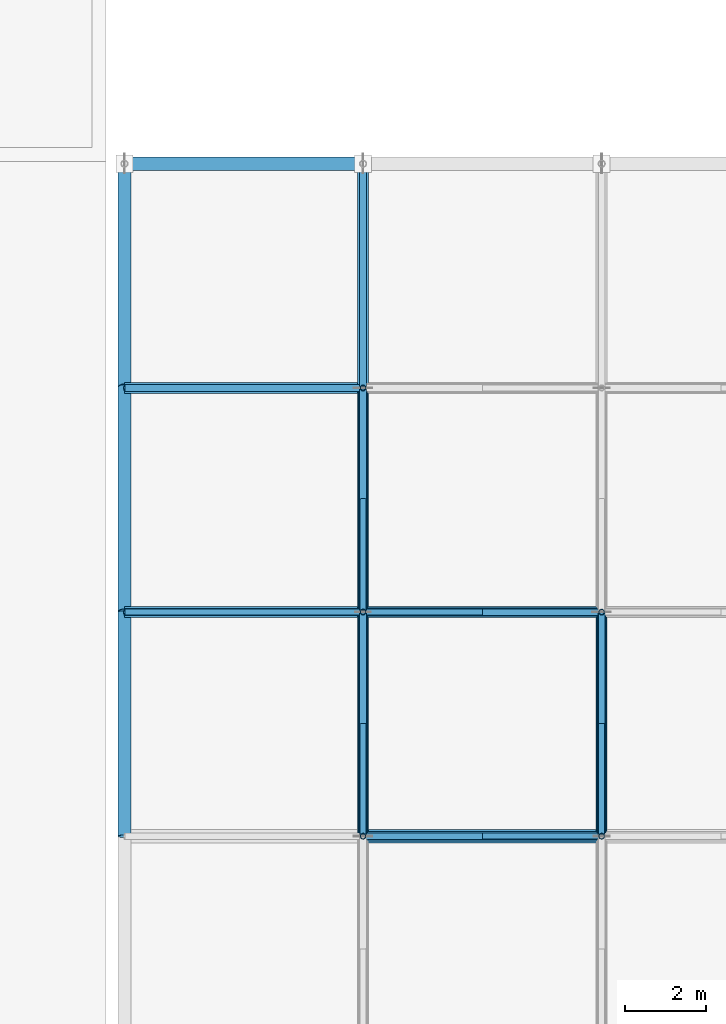
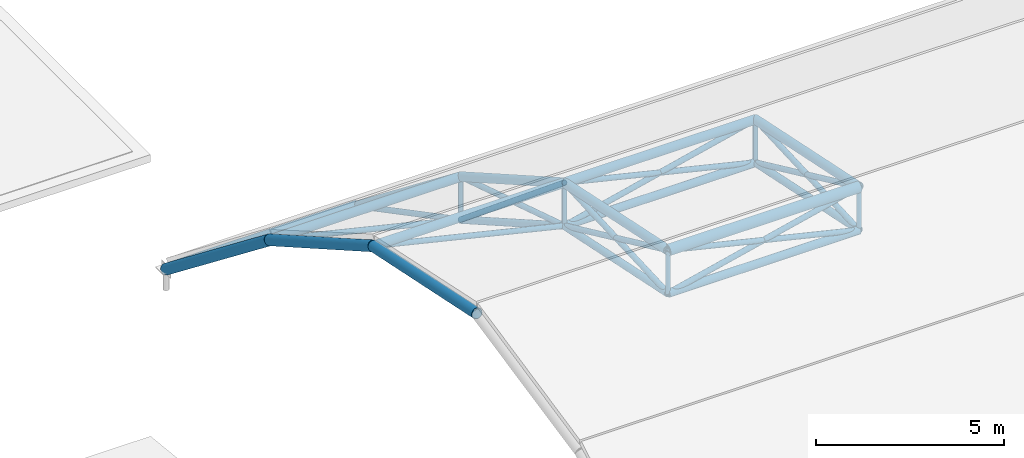
# One storey, part 8 of 82: 35 members.
"""IFC4 building model written with IfcOpenShell, lengths in metres."""

from ifc_helpers import new_model, si_unit, direction, frame, origin, origin_2d, place, context, subcontext, project, spatial, hollow_circle, extrude, material, material_profile, profile_set, type_object, element, save


model = new_model("IFC4")

# Units and contexts
model_context = context("Model", 3, precision=1e-05, world=origin(), true_north=direction((0.0, 1.0)))
body_context = subcontext(model_context, "Body", "Model", "MODEL_VIEW")
ifc_project = project(units=[si_unit("LENGTHUNIT", "METRE"), si_unit("AREAUNIT", "SQUARE_METRE"), si_unit("VOLUMEUNIT", "CUBIC_METRE"), si_unit("PLANEANGLEUNIT", "RADIAN"), si_unit("MASSUNIT", "GRAM", prefix="KILO")], contexts=[model_context])

# Site, building, storey
site_placement = place(None, origin())
site = spatial("IfcSite", under=ifc_project, at=site_placement, CompositionType="ELEMENT")
building_placement = place(site_placement, origin())
building = spatial("IfcBuilding", under=site, at=building_placement, Name="Bramfleet General Hospital", CompositionType="ELEMENT")
storey_placement = place(building_placement, frame((0.0, 0.0, 34.199951171875)))
storey = spatial("IfcBuildingStorey", under=building, at=storey_placement, Name="Roof", CompositionType="ELEMENT", Elevation=34.199951171875)

# Members
ifc_material = material(Name="Steel S355", Category="steel")
ifc_material_profile_1 = material_profile(ifc_material, hollow_circle(Radius=0.122314453125, WallThickness=0.012451171875, at=origin_2d()), Name="CHS 244.5x12.5")
ifc_profile_set_1 = profile_set([ifc_material_profile_1], Name="Steel S355")
member_type_1 = type_object("IfcMemberType", Name="MEM-SF-BC1", PredefinedType="CHORD", material=ifc_profile_set_1)
for number, where, z_axis, x_axis, name in (
    (1, (56.721435546875, 33.800048828125, -12.25), (1.0, 0.0, 0.0), (0.0, 1.0, 0.0), "Space Frame Bottom Chord X 1-3"),
    (2, (56.721435546875, 39.316650390625, -13.402099609375), (1.0, 0.0, 0.0), (0.0, 1.0, 0.0), "Space Frame Bottom Chord X 1-4"),
):
    element("IfcMember", number, at=place(storey_placement, frame(where, z_axis=z_axis, x_axis=x_axis)), inside=storey, type_object=member_type_1, Name=name, PredefinedType="CHORD", context=body_context, shape_type="SweptSolid", body=[
        extrude(hollow_circle(Radius=0.122314453125, WallThickness=0.012451171875, at=origin_2d()), origin(), (0.0, 0.0, 1.0), 5.871337890625),
    ])
ifc_material_profile_2 = material_profile(ifc_material, hollow_circle(Radius=0.109619140625, WallThickness=0.010009765625, at=origin_2d()), Name="CHS 219.1x10.0")
ifc_profile_set_2 = profile_set([ifc_material_profile_2], Name="Steel S355")
member_type_2 = type_object("IfcMemberType", Name="MEM-SF-BC2", PredefinedType="CHORD", material=ifc_profile_set_2)
member_1_placement = place(storey_placement, frame((56.721435546875, 33.800048828125, -12.25), z_axis=(0.0, 0.978880830839, -0.204431697678), x_axis=(-1.0, 0.0, 0.0)))
element("IfcMember", 3, at=member_1_placement, inside=storey, type_object=member_type_2, Name="Space Frame Bottom Chord Y 1-3", PredefinedType="CHORD", context=body_context, shape_type="SweptSolid", body=[
    extrude(hollow_circle(Radius=0.109619140625, WallThickness=0.010009765625, at=origin_2d()), origin(), (0.0, 0.0, 1.0), 5.6357421875),
])
member_2_placement = place(storey_placement, frame((56.721435546875, 39.316650390625, -13.402099609375), z_axis=(0.0, 0.868541026423, -0.49561727716), x_axis=(-1.0, 0.0, 0.0)))
element("IfcMember", 4, at=member_2_placement, inside=storey, type_object=member_type_2, Name="Space Frame Bottom Chord Y 1-4", PredefinedType="CHORD", context=body_context, shape_type="SweptSolid", body=[
    extrude(hollow_circle(Radius=0.109619140625, WallThickness=0.010009765625, at=origin_2d()), origin(), (0.0, 0.0, 1.0), 6.3515625),
])
member_3_placement = place(storey_placement, frame((62.5927734375, 33.800048828125, -12.25), z_axis=(0.0, 0.978880830839, -0.204431697678), x_axis=(-1.0, 0.0, 0.0)))
element("IfcMember", 5, at=member_3_placement, inside=storey, type_object=member_type_2, Name="Space Frame Bottom Chord Y 2-3", PredefinedType="CHORD", context=body_context, shape_type="SweptSolid", body=[
    extrude(hollow_circle(Radius=0.109619140625, WallThickness=0.010009765625, at=origin_2d()), origin(), (0.0, 0.0, 1.0), 5.6357421875),
])
ifc_material_profile_3 = material_profile(ifc_material, hollow_circle(Radius=0.084228515625, WallThickness=0.008056640625, at=origin_2d()), Name="CHS 168.3x8.0")
ifc_profile_set_3 = profile_set([ifc_material_profile_3], Name="Steel S355")
member_type_3 = type_object("IfcMemberType", Name="MEM-SF-DG1", PredefinedType="STRUT", material=ifc_profile_set_3)
member_4_placement = place(storey_placement, frame((56.721435546875, 33.800048828125, -12.25), z_axis=(0.97272369554, 0.0, 0.231966834127), x_axis=(0.0, 1.0, 0.0)))
element("IfcMember", 6, at=member_4_placement, inside=storey, type_object=member_type_3, Name="Space Frame Web Strut 1-3-E", PredefinedType="STRUT", context=body_context, shape_type="SweptSolid", body=[
    extrude(hollow_circle(Radius=0.084228515625, WallThickness=0.008056640625, at=origin_2d()), origin(), (0.0, 0.0, 1.0), 6.035888671875),
])
member_5_placement = place(storey_placement, frame((56.721435546875, 33.800048828125, -12.25), z_axis=(0.0, 0.998992645483, 0.044874204955), x_axis=(-1.0, 0.0, 0.0)))
element("IfcMember", 7, at=member_5_placement, inside=storey, type_object=member_type_3, Name="Space Frame Web Strut 1-3-N", PredefinedType="STRUT", context=body_context, shape_type="SweptSolid", body=[
    extrude(hollow_circle(Radius=0.084228515625, WallThickness=0.008056640625, at=origin_2d()), origin(), (0.0, 0.0, 1.0), 5.522216796875),
])
for number, where, z_axis, x_axis, name in (
    (8, (56.721435546875, 39.316650390625, -13.402099609375), (-0.972732821449, 0.0, 0.231928562443), (0.0, -1.0, 0.0), "Space Frame Web Strut 1-4-W"),
    (9, (56.721435546875, 39.316650390625, -13.402099609375), (0.972732821449, 0.0, 0.231928562443), (0.0, 1.0, 0.0), "Space Frame Web Strut 1-4-E"),
):
    element("IfcMember", number, at=place(storey_placement, frame(where, z_axis=z_axis, x_axis=x_axis)), inside=storey, type_object=member_type_3, Name=name, PredefinedType="STRUT", context=body_context, shape_type="SweptSolid", body=[
        extrude(hollow_circle(Radius=0.084228515625, WallThickness=0.008056640625, at=origin_2d()), origin(), (0.0, 0.0, 1.0), 6.035888671875),
    ])
member_6_placement = place(storey_placement, frame((56.721435546875, 39.316650390625, -13.402099609375), z_axis=(0.0, -0.907575768803, 0.419888346923), x_axis=(1.0, 0.0, 0.0)))
element("IfcMember", 10, at=member_6_placement, inside=storey, type_object=member_type_3, Name="Space Frame Web Strut 1-4-S", PredefinedType="STRUT", context=body_context, shape_type="SweptSolid", body=[
    extrude(hollow_circle(Radius=0.084228515625, WallThickness=0.008056640625, at=origin_2d()), origin(), (0.0, 0.0, 1.0), 6.078369140625),
])
member_7_placement = place(storey_placement, frame((56.721435546875, 39.316650390625, -13.402099609375), z_axis=(0.0, 0.95329850344, -0.302029739163), x_axis=(-1.0, 0.0, 0.0)))
element("IfcMember", 11, at=member_7_placement, inside=storey, type_object=member_type_3, Name="Space Frame Web Strut 1-4-N", PredefinedType="STRUT", context=body_context, shape_type="SweptSolid", body=[
    extrude(hollow_circle(Radius=0.084228515625, WallThickness=0.008056640625, at=origin_2d()), origin(), (0.0, 0.0, 1.0), 5.786865234375),
])
member_8_placement = place(storey_placement, frame((56.721435546875, 44.833251953125, -16.550048828125), z_axis=(-0.97272369554, 0.0, 0.231966834127), x_axis=(0.0, -1.0, 0.0)))
element("IfcMember", 12, at=member_8_placement, inside=storey, type_object=member_type_3, Name="Space Frame Web Strut 1-5-W", PredefinedType="STRUT", context=body_context, shape_type="SweptSolid", body=[
    extrude(hollow_circle(Radius=0.084228515625, WallThickness=0.008056640625, at=origin_2d()), origin(), (0.0, 0.0, 1.0), 6.035888671875),
])
member_9_placement = place(storey_placement, frame((56.721435546875, 44.833251953125, -16.550048828125), z_axis=(0.0, -0.77160287806, 0.636104550031), x_axis=(1.0, 0.0, 0.0)))
element("IfcMember", 13, at=member_9_placement, inside=storey, type_object=member_type_3, Name="Space Frame Web Strut 1-5-S", PredefinedType="STRUT", context=body_context, shape_type="SweptSolid", body=[
    extrude(hollow_circle(Radius=0.084228515625, WallThickness=0.008056640625, at=origin_2d()), origin(), (0.0, 0.0, 1.0), 7.1494140625),
])
member_10_placement = place(storey_placement, frame((56.721435546875, 44.833251953125, -16.550048828125), z_axis=(0.0, 0.885162817116, -0.465281406457), x_axis=(-1.0, 0.0, 0.0)))
element("IfcMember", 14, at=member_10_placement, inside=storey, type_object=member_type_3, Name="Space Frame Web Strut 1-5-N", PredefinedType="STRUT", context=body_context, shape_type="SweptSolid", body=[
    extrude(hollow_circle(Radius=0.084228515625, WallThickness=0.008056640625, at=origin_2d()), origin(), (0.0, 0.0, 1.0), 6.232666015625),
])
member_11_placement = place(storey_placement, frame((62.5927734375, 33.800048828125, -12.25), z_axis=(-0.97272369554, 0.0, 0.231966834127), x_axis=(0.0, -1.0, 0.0)))
element("IfcMember", 15, at=member_11_placement, inside=storey, type_object=member_type_3, Name="Space Frame Web Strut 2-3-W", PredefinedType="STRUT", context=body_context, shape_type="SweptSolid", body=[
    extrude(hollow_circle(Radius=0.084228515625, WallThickness=0.008056640625, at=origin_2d()), origin(), (0.0, 0.0, 1.0), 6.035888671875),
])
member_12_placement = place(storey_placement, frame((62.5927734375, 33.800048828125, -12.25), z_axis=(0.0, 0.998992645483, 0.044874204955), x_axis=(-1.0, 0.0, 0.0)))
element("IfcMember", 16, at=member_12_placement, inside=storey, type_object=member_type_3, Name="Space Frame Web Strut 2-3-N", PredefinedType="STRUT", context=body_context, shape_type="SweptSolid", body=[
    extrude(hollow_circle(Radius=0.084228515625, WallThickness=0.008056640625, at=origin_2d()), origin(), (0.0, 0.0, 1.0), 5.522216796875),
])
member_13_placement = place(storey_placement, frame((62.5927734375, 39.316650390625, -13.402099609375), z_axis=(-0.972732821449, 0.0, 0.231928562443), x_axis=(0.0, -1.0, 0.0)))
element("IfcMember", 17, at=member_13_placement, inside=storey, type_object=member_type_3, Name="Space Frame Web Strut 2-4-W", PredefinedType="STRUT", context=body_context, shape_type="SweptSolid", body=[
    extrude(hollow_circle(Radius=0.084228515625, WallThickness=0.008056640625, at=origin_2d()), origin(), (0.0, 0.0, 1.0), 6.035888671875),
])
member_14_placement = place(storey_placement, frame((62.5927734375, 39.316650390625, -13.402099609375), z_axis=(0.0, -0.907575768803, 0.419888346923), x_axis=(1.0, 0.0, 0.0)))
element("IfcMember", 18, at=member_14_placement, inside=storey, type_object=member_type_3, Name="Space Frame Web Strut 2-4-S", PredefinedType="STRUT", context=body_context, shape_type="SweptSolid", body=[
    extrude(hollow_circle(Radius=0.084228515625, WallThickness=0.008056640625, at=origin_2d()), origin(), (0.0, 0.0, 1.0), 6.078369140625),
])
ifc_material_profile_4 = material_profile(ifc_material, hollow_circle(Radius=0.06982421875, WallThickness=0.008056640625, at=origin_2d()), Name="CHS 139.7x8.0")
ifc_profile_set_4 = profile_set([ifc_material_profile_4], Name="Steel S355")
member_type_4 = type_object("IfcMemberType", Name="MEM-SF-DG2", PredefinedType="STRUT", material=ifc_profile_set_4)
member_15_placement = place(storey_placement, frame((56.721435546875, 33.800048828125, -12.25), z_axis=(0.0, 0.0, 1.0), x_axis=(1.0, 0.0, 0.0)))
element("IfcMember", 19, at=member_15_placement, inside=storey, type_object=member_type_4, Name="Space Frame King Strut 1-3", PredefinedType="STRUT", context=body_context, shape_type="SweptSolid", body=[
    extrude(hollow_circle(Radius=0.06982421875, WallThickness=0.008056640625, at=origin_2d()), origin(), (0.0, 0.0, 1.0), 1.400146484375),
])
member_16_placement = place(storey_placement, frame((56.721435546875, 39.316650390625, -13.402099609375), z_axis=(0.0, 0.0, 1.0), x_axis=(1.0, 0.0, 0.0)))
element("IfcMember", 20, at=member_16_placement, inside=storey, type_object=member_type_4, Name="Space Frame King Strut 1-4", PredefinedType="STRUT", context=body_context, shape_type="SweptSolid", body=[
    extrude(hollow_circle(Radius=0.06982421875, WallThickness=0.008056640625, at=origin_2d()), origin(), (0.0, 0.0, 1.0), 1.39990234375),
])
for number, where, z_axis, x_axis, name in (
    (21, (56.721435546875, 44.833251953125, -16.550048828125), (0.0, 0.0, 1.0), (1.0, 0.0, 0.0), "Space Frame King Strut 1-5"),
    (22, (62.5927734375, 33.800048828125, -12.25), (0.0, 0.0, 1.0), (1.0, 0.0, 0.0), "Space Frame King Strut 2-3"),
):
    element("IfcMember", number, at=place(storey_placement, frame(where, z_axis=z_axis, x_axis=x_axis)), inside=storey, type_object=member_type_4, Name=name, PredefinedType="STRUT", context=body_context, shape_type="SweptSolid", body=[
        extrude(hollow_circle(Radius=0.06982421875, WallThickness=0.008056640625, at=origin_2d()), origin(), (0.0, 0.0, 1.0), 1.400146484375),
    ])
member_17_placement = place(storey_placement, frame((62.5927734375, 39.316650390625, -13.402099609375), z_axis=(0.0, 0.0, 1.0), x_axis=(1.0, 0.0, 0.0)))
element("IfcMember", 23, at=member_17_placement, inside=storey, type_object=member_type_4, Name="Space Frame King Strut 2-4", PredefinedType="STRUT", context=body_context, shape_type="SweptSolid", body=[
    extrude(hollow_circle(Radius=0.06982421875, WallThickness=0.008056640625, at=origin_2d()), origin(), (0.0, 0.0, 1.0), 1.39990234375),
])
ifc_material_profile_5 = material_profile(ifc_material, hollow_circle(Radius=0.161865234375, WallThickness=0.012451171875, at=origin_2d()), Name="CHS 323.9x12.5")
ifc_profile_set_5 = profile_set([ifc_material_profile_5], Name="Steel S355")
member_type_5 = type_object("IfcMemberType", Name="MEM-SF-TC1", PredefinedType="CHORD", material=ifc_profile_set_5)
for number, where, z_axis, x_axis, name in (
    (24, (50.85009765625, 50.35009765625, -19.449951171875), (1.0, 0.0, 0.0), (0.0, 1.0, 0.0), "Space Frame Top Chord X 0-6"),
    (25, (56.721435546875, 33.800048828125, -10.849853515625), (1.0, 0.0, 0.0), (0.0, 1.0, 0.0), "Space Frame Top Chord X 1-3"),
):
    element("IfcMember", number, at=place(storey_placement, frame(where, z_axis=z_axis, x_axis=x_axis)), inside=storey, type_object=member_type_5, Name=name, PredefinedType="CHORD", context=body_context, shape_type="SweptSolid", body=[
        extrude(hollow_circle(Radius=0.161865234375, WallThickness=0.012451171875, at=origin_2d()), origin(), (0.0, 0.0, 1.0), 5.871337890625),
    ])
member_18_placement = place(storey_placement, frame((50.85009765625, 33.800048828125, -10.849853515625), z_axis=(0.0, 0.97887216089, -0.204473207621), x_axis=(-1.0, 0.0, 0.0)))
element("IfcMember", 26, at=member_18_placement, inside=storey, type_object=member_type_5, Name="Space Frame Top Chord Y 0-3", PredefinedType="CHORD", context=body_context, shape_type="SweptSolid", body=[
    extrude(hollow_circle(Radius=0.161865234375, WallThickness=0.012451171875, at=origin_2d()), origin(), (0.0, 0.0, 1.0), 5.6357421875),
])
member_19_placement = place(storey_placement, frame((50.85009765625, 39.316650390625, -12.002197265625), z_axis=(0.0, 0.868557572351, -0.495588280241), x_axis=(-1.0, 0.0, 0.0)))
element("IfcMember", 27, at=member_19_placement, inside=storey, type_object=member_type_5, Name="Space Frame Top Chord Y 0-4", PredefinedType="CHORD", context=body_context, shape_type="SweptSolid", body=[
    extrude(hollow_circle(Radius=0.161865234375, WallThickness=0.012451171875, at=origin_2d()), origin(), (0.0, 0.0, 1.0), 6.3515625),
])
member_20_placement = place(storey_placement, frame((50.85009765625, 44.833251953125, -15.14990234375), z_axis=(0.0, 0.788716549393, -0.614757029007), x_axis=(-1.0, 0.0, 0.0)))
element("IfcMember", 28, at=member_20_placement, inside=storey, type_object=member_type_5, Name="Space Frame Top Chord Y 0-5", PredefinedType="CHORD", context=body_context, shape_type="SweptSolid", body=[
    extrude(hollow_circle(Radius=0.161865234375, WallThickness=0.012451171875, at=origin_2d()), origin(), (0.0, 0.0, 1.0), 6.99462890625),
])
ifc_material_profile_6 = material_profile(ifc_material, hollow_circle(Radius=0.136474609375, WallThickness=0.012451171875, at=origin_2d()), Name="CHS 273.0x12.5")
ifc_profile_set_6 = profile_set([ifc_material_profile_6], Name="Steel S355")
member_type_6 = type_object("IfcMemberType", Name="MEM-SF-TC2", PredefinedType="CHORD", material=ifc_profile_set_6)
for number, where, z_axis, x_axis, name in (
    (29, (50.85009765625, 39.316650390625, -12.002197265625), (1.0, 0.0, 0.0), (0.0, 1.0, 0.0), "Space Frame Top Chord X 0-4"),
    (30, (50.85009765625, 44.833251953125, -15.14990234375), (1.0, 0.0, 0.0), (0.0, 1.0, 0.0), "Space Frame Top Chord X 0-5"),
    (31, (56.721435546875, 39.316650390625, -12.002197265625), (1.0, 0.0, 0.0), (0.0, 1.0, 0.0), "Space Frame Top Chord X 1-4"),
):
    element("IfcMember", number, at=place(storey_placement, frame(where, z_axis=z_axis, x_axis=x_axis)), inside=storey, type_object=member_type_6, Name=name, PredefinedType="CHORD", context=body_context, shape_type="SweptSolid", body=[
        extrude(hollow_circle(Radius=0.136474609375, WallThickness=0.012451171875, at=origin_2d()), origin(), (0.0, 0.0, 1.0), 5.871337890625),
    ])
member_21_placement = place(storey_placement, frame((56.721435546875, 33.800048828125, -10.849853515625), z_axis=(0.0, 0.97887216089, -0.204473207621), x_axis=(-1.0, 0.0, 0.0)))
element("IfcMember", 32, at=member_21_placement, inside=storey, type_object=member_type_6, Name="Space Frame Top Chord Y 1-3", PredefinedType="CHORD", context=body_context, shape_type="SweptSolid", body=[
    extrude(hollow_circle(Radius=0.136474609375, WallThickness=0.012451171875, at=origin_2d()), origin(), (0.0, 0.0, 1.0), 5.6357421875),
])
member_22_placement = place(storey_placement, frame((56.721435546875, 39.316650390625, -12.002197265625), z_axis=(0.0, 0.868557572351, -0.495588280241), x_axis=(-1.0, 0.0, 0.0)))
element("IfcMember", 33, at=member_22_placement, inside=storey, type_object=member_type_6, Name="Space Frame Top Chord Y 1-4", PredefinedType="CHORD", context=body_context, shape_type="SweptSolid", body=[
    extrude(hollow_circle(Radius=0.136474609375, WallThickness=0.012451171875, at=origin_2d()), origin(), (0.0, 0.0, 1.0), 6.3515625),
])
member_23_placement = place(storey_placement, frame((56.721435546875, 44.833251953125, -15.14990234375), z_axis=(0.0, 0.788716549393, -0.614757029007), x_axis=(-1.0, 0.0, 0.0)))
element("IfcMember", 34, at=member_23_placement, inside=storey, type_object=member_type_6, Name="Space Frame Top Chord Y 1-5", PredefinedType="CHORD", context=body_context, shape_type="SweptSolid", body=[
    extrude(hollow_circle(Radius=0.136474609375, WallThickness=0.012451171875, at=origin_2d()), origin(), (0.0, 0.0, 1.0), 6.99462890625),
])
member_24_placement = place(storey_placement, frame((62.5927734375, 33.800048828125, -10.849853515625), z_axis=(0.0, 0.97887216089, -0.204473207621), x_axis=(-1.0, 0.0, 0.0)))
element("IfcMember", 35, at=member_24_placement, inside=storey, type_object=member_type_6, Name="Space Frame Top Chord Y 2-3", PredefinedType="CHORD", context=body_context, shape_type="SweptSolid", body=[
    extrude(hollow_circle(Radius=0.136474609375, WallThickness=0.012451171875, at=origin_2d()), origin(), (0.0, 0.0, 1.0), 5.6357421875),
])

save(model, "model.ifc")
